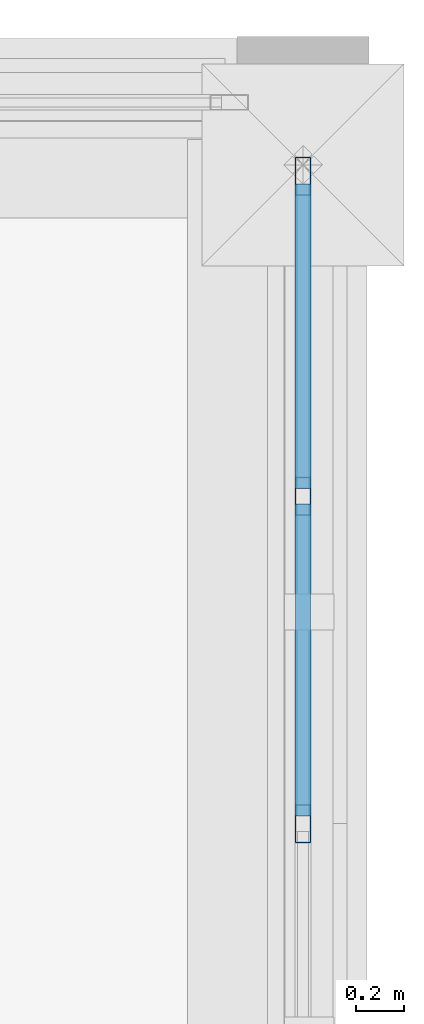
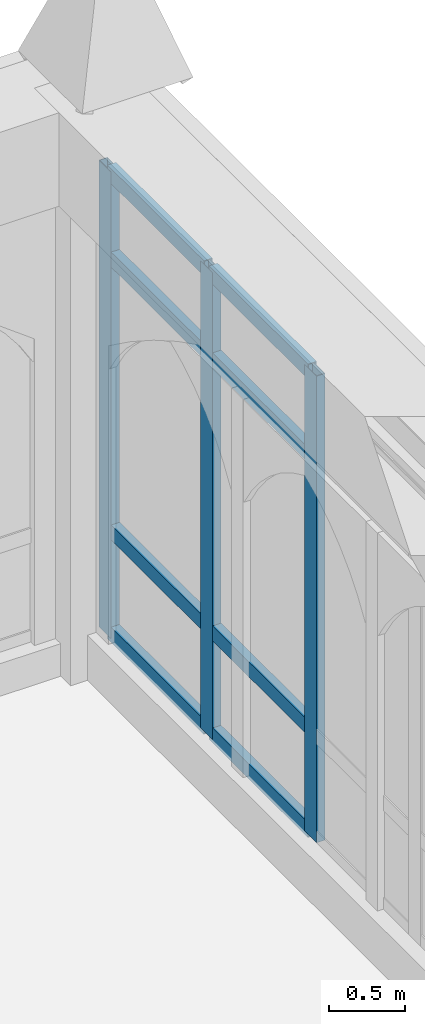
# One storey, part 59 of 108: 11 members, 1 element without a shape of its own.
"""IFC4 building model written with IfcOpenShell, lengths in metres."""

import ifcopenshell
import ifcopenshell.guid

model = None  # the IFC model being written
_history = None  # IfcOwnerHistory: only IFC2X3 demands one
_inside = {}  # id of a spatial element -> (the spatial element, [elements in it])
_under = {}  # id of a project, library or spatial element -> (it, [spatial elements below it])
_declared = {}  # id of a project -> (the project, [libraries it declares])
_typed = {}  # id of a type object -> (the type object, [elements of that type])
_made_of = {}  # id of a material, layer set ... -> (it, [elements and type objects made of it])


def new_model(schema):
    """Start an empty IFC model of exactly this schema.

    Asked for "IFC4X3", IfcOpenShell would pick the latest addendum, in which some entities
    have other attributes; the version numbers below select the first issue.
    IFC2X3 requires an IfcOwnerHistory on every rooted entity: one is made here for all.
    """
    global model, _history
    if schema == "IFC4X3":
        model = ifcopenshell.file(schema_version=(4, 3, 0, 0))
    else:
        model = ifcopenshell.file(schema=schema)
    _inside.clear()
    _under.clear()
    _declared.clear()
    _typed.clear()
    _made_of.clear()
    _history = None
    if model.schema == "IFC2X3":
        org = make("IfcOrganization", Name="unknown")
        user = make(
            "IfcPersonAndOrganization",
            ThePerson=make("IfcPerson", FamilyName="unknown"),
            TheOrganization=org,
        )
        app = make(
            "IfcApplication",
            ApplicationDeveloper=org,
            Version="unknown",
            ApplicationFullName="unknown",
            ApplicationIdentifier="unknown",
        )
        _history = make(
            "IfcOwnerHistory",
            OwningUser=user,
            OwningApplication=app,
            ChangeAction="ADDED",
            CreationDate=0,
        )
    return model


def make(cls, **values):
    """One entity of the class cls with the attributes given. An attribute that is None is left unset."""
    return model.create_entity(
        cls, **{name: value for name, value in values.items() if value is not None}
    )


def rooted(cls, **values):
    """An entity with a GlobalId (a new one), such as an element, a storey or a relation."""
    return make(cls, GlobalId=ifcopenshell.guid.new(), OwnerHistory=_history, **values)


def si_unit(unit_type, name, prefix=None):
    """IfcSIUnit, for example si_unit("LENGTHUNIT", "METRE", prefix="MILLI")."""
    return make("IfcSIUnit", UnitType=unit_type, Prefix=prefix, Name=name)


def assignment(units):
    """IfcUnitAssignment: the units of a project."""
    return None if units is None else make("IfcUnitAssignment", Units=units)


def point(xyz):
    """IfcCartesianPoint."""
    return None if xyz is None else make("IfcCartesianPoint", Coordinates=xyz)


def direction(xyz):
    """IfcDirection."""
    return None if xyz is None else make("IfcDirection", DirectionRatios=xyz)


def frame(location, z_axis=None, x_axis=None):
    """IfcAxis2Placement3D, a coordinate frame: its origin and axes. An axis left out is left unset."""
    return make(
        "IfcAxis2Placement3D",
        Location=point(location),
        Axis=direction(z_axis),
        RefDirection=direction(x_axis),
    )


def frame_2d(location, x_axis=None):
    """IfcAxis2Placement2D, a coordinate frame in the plane: its origin and x axis."""
    return make(
        "IfcAxis2Placement2D", Location=point(location), RefDirection=direction(x_axis)
    )


def origin():
    """The frame at (0, 0, 0) with its axes left unset."""
    return frame((0.0, 0.0, 0.0))


def origin_2d():
    """The frame at (0, 0) in the plane with its x axis left unset."""
    return frame_2d((0.0, 0.0))


def place(relative_to, where):
    """IfcLocalPlacement: puts the frame where relative to a parent placement (None: the world)."""
    return make(
        "IfcLocalPlacement", PlacementRelTo=relative_to, RelativePlacement=where
    )


def context(
    kind, dimensions, precision=None, world=None, true_north=None, identifier=None
):
    """IfcGeometricRepresentationContext, for example the 3D "Model" context."""
    return make(
        "IfcGeometricRepresentationContext",
        ContextIdentifier=identifier,
        ContextType=kind,
        CoordinateSpaceDimension=dimensions,
        Precision=precision,
        WorldCoordinateSystem=world,
        TrueNorth=true_north,
    )


def subcontext(parent, identifier, kind, view, scale=None):
    """IfcGeometricRepresentationSubContext, for example "Body" below "Model"."""
    return make(
        "IfcGeometricRepresentationSubContext",
        ContextIdentifier=identifier,
        ContextType=kind,
        ParentContext=parent,
        TargetScale=scale,
        TargetView=view,
    )


def project(units=None, contexts=None):
    """IfcProject with its units and contexts."""
    return rooted(
        "IfcProject",
        Name="project",
        RepresentationContexts=contexts,
        UnitsInContext=assignment(units),
    )


def spatial(cls, under=None, at=None, **own):
    """A site, building, storey or space (cls), placed at a placement, below another one or the project."""
    s = rooted(cls, ObjectPlacement=at, **own)
    if under is not None:
        _under.setdefault(under.id(), (under, []))[1].append(s)
    return s


def profile(cls, at=None, kind="AREA", **sizes):
    """A parametric profile (cls). Its sizes go by their IFC names, for example OverallWidth=200.0."""
    return make(cls, ProfileType=kind, Position=at, **sizes)


def hollow_rectangle(**sizes):
    """IfcRectangleHollowProfileDef."""
    return profile("IfcRectangleHollowProfileDef", **sizes)


def extrude(swept, where, along, depth):
    """IfcExtrudedAreaSolid: the profile swept, set in the frame where, extruded along a direction by depth."""
    return make(
        "IfcExtrudedAreaSolid",
        SweptArea=swept,
        Position=where,
        ExtrudedDirection=direction(along),
        Depth=depth,
    )


def shape(context_of_items, identifier, shape_type, items):
    """IfcShapeRepresentation: the items that make up one representation, for example the "Body"."""
    return make(
        "IfcShapeRepresentation",
        ContextOfItems=context_of_items,
        RepresentationIdentifier=identifier,
        RepresentationType=shape_type,
        Items=items,
    )


def material(Name=None, Category=None):
    """IfcMaterial."""
    return make("IfcMaterial", Name=Name, Category=Category)


def layer(
    of_material, thickness, ventilated=None, Name=None, Category=None, Priority=None
):
    """IfcMaterialLayer: one layer of a wall or slab, of a material (None: an air gap)."""
    return make(
        "IfcMaterialLayer",
        Material=of_material,
        LayerThickness=thickness,
        IsVentilated=ventilated,
        Name=Name,
        Category=Category,
        Priority=Priority,
    )


def layer_set(layers, Name=None):
    """IfcMaterialLayerSet."""
    return make("IfcMaterialLayerSet", MaterialLayers=layers, LayerSetName=Name)


def material_profile(
    of_material, cross_section, Name=None, Category=None, Priority=None
):
    """IfcMaterialProfile: a cross section and its material."""
    return make(
        "IfcMaterialProfile",
        Name=Name,
        Material=of_material,
        Profile=cross_section,
        Priority=Priority,
        Category=Category,
    )


def profile_set(profiles, Name=None, composite=None):
    """IfcMaterialProfileSet."""
    return make(
        "IfcMaterialProfileSet",
        Name=Name,
        MaterialProfiles=profiles,
        CompositeProfile=composite,
    )


def made_of(thing, what):
    """Note that an element or type object is made of a material, layer set ...; save() writes the relation."""
    if what is not None:
        _made_of.setdefault(what.id(), (what, []))[1].append(thing)
    return thing


def type_object(cls, material=None, **own):
    """A type object (cls), such as IfcWallType, which elements share."""
    return made_of(rooted(cls, **own), material)


def element(
    cls,
    number,
    at=None,
    inside=None,
    cuts=None,
    type_object=None,
    material=None,
    context=None,
    identifier="Body",
    shape_type=None,
    held_by="IfcProductDefinitionShape",
    body=None,
    shapes=None,
    **own,
):
    """One element of the class cls, such as IfcWall. Its Tag is "e" and its number.

    at: its placement. inside: the storey or other place that contains it. cuts: it is an
    opening in that element (IfcRelVoidsElement). A single representation is given by context,
    identifier, shape_type and body (its items); several are given by shapes. held_by: the class
    of the entity that holds the representations. save() writes the other relations.
    """
    e = rooted(cls, Tag="e%d" % number, ObjectPlacement=at, **own)
    if body is not None:
        shapes = [shape(context, identifier, shape_type, body)]
    if shapes is not None:
        e.Representation = make(held_by, Representations=shapes)
    if inside is not None:
        _inside.setdefault(inside.id(), (inside, []))[1].append(e)
    if cuts is not None:
        rooted(
            "IfcRelVoidsElement", RelatingBuildingElement=cuts, RelatedOpeningElement=e
        )
    if type_object is not None:
        _typed.setdefault(type_object.id(), (type_object, []))[1].append(e)
    return made_of(e, material)


def aggregate(whole, parts):
    """IfcRelAggregates: a whole, such as a stair, and the parts it consists of."""
    return rooted("IfcRelAggregates", RelatingObject=whole, RelatedObjects=parts)


def save(model, path):
    """Write the relations noted so far, then the file.

    IfcRelAggregates (storeys below a building ...), IfcRelContainedInSpatialStructure (elements
    in a storey), IfcRelDefinesByType, IfcRelAssociatesMaterial and IfcRelDeclares: one each for
    every whole, place, type object, material and project.
    """
    for whole, parts in _under.values():
        aggregate(whole, parts)
    for where, things in _inside.values():
        rooted(
            "IfcRelContainedInSpatialStructure",
            RelatedElements=things,
            RelatingStructure=where,
        )
    for kind, things in _typed.values():
        rooted("IfcRelDefinesByType", RelatedObjects=things, RelatingType=kind)
    for what, things in _made_of.values():
        rooted("IfcRelAssociatesMaterial", RelatedObjects=things, RelatingMaterial=what)
    for by, libraries in _declared.values():
        rooted("IfcRelDeclares", RelatingContext=by, RelatedDefinitions=libraries)
    model.write(path)


model = new_model("IFC4")

# Units and contexts
model_context = context("Model", 3, precision=1e-05, world=origin(), true_north=direction((0.0, 1.0)))
body_context = subcontext(model_context, "Body", "Model", "MODEL_VIEW")
ifc_project = project(units=[si_unit("LENGTHUNIT", "METRE"), si_unit("AREAUNIT", "SQUARE_METRE"), si_unit("VOLUMEUNIT", "CUBIC_METRE"), si_unit("PLANEANGLEUNIT", "RADIAN"), si_unit("MASSUNIT", "GRAM", prefix="KILO")], contexts=[model_context])

# Site, building, storey
site_placement = place(None, origin())
site = spatial("IfcSite", under=ifc_project, at=site_placement, CompositionType="ELEMENT")
building_placement = place(site_placement, origin())
building = spatial("IfcBuilding", under=site, at=building_placement, Name="Cumevento Cable Car Station", CompositionType="ELEMENT")
storey_placement = place(building_placement, frame((0.0, 0.0, 13.5)))
storey = spatial("IfcBuildingStorey", under=building, at=storey_placement, Name="L04", CompositionType="ELEMENT", Elevation=13.5)

# Curtain wall, members
ifc_material_1 = material(Name="Anodised Bronze Aluminium AW-6063-T6", Category="aluminium")
ifc_layer = layer(ifc_material_1, 0.23193359375)
ifc_layer_set = layer_set([ifc_layer], Name="Anodised Bronze Aluminium AW-6063-T6")
curtain_wall_type = type_object("IfcCurtainWallType", Name="Lancet Curtain Wall CW-13 1530", PredefinedType="NOTDEFINED", material=ifc_layer_set)
curtain_wall_placement = place(storey_placement, origin())
curtain_wall = element("IfcCurtainWall", 1, at=curtain_wall_placement, inside=storey, type_object=curtain_wall_type, Name="Lancet Curtain Wall CW-13 L04 #188", PredefinedType="NOTDEFINED")
ifc_material_2 = material(Name="Anodised Bronze Aluminium AW-6063-T6", Category="aluminium")
ifc_material_profile_1 = material_profile(ifc_material_2, hollow_rectangle(XDim=0.06494140625, YDim=0.159912109375, WallThickness=0.00390625, at=origin_2d()), Name="ALUM65x160x4")
ifc_profile_set_1 = profile_set([ifc_material_profile_1], Name="Anodised Bronze Aluminium AW-6063-T6")
member_type_1 = type_object("IfcMemberType", Name="Curtain Mullion CWM-01 ALUM65x160x4", PredefinedType="MULLION", material=ifc_profile_set_1)
member_1_placement = place(storey_placement, frame((166.0, 44.6923828125, 0.360107421875), z_axis=(0.0, 0.0, 1.0), x_axis=(1.0, 0.0, 0.0)))
member_1 = element("IfcMember", 2, at=member_1_placement, type_object=member_type_1, Name="CW-13 mullion 1", PredefinedType="MULLION", context=body_context, shape_type="SweptSolid", body=[
    extrude(hollow_rectangle(XDim=0.06494140625, YDim=0.159912109375, WallThickness=0.00390625, at=origin_2d()), origin(), (0.0, 0.0, 1.0), 3.73291015625),
])
member_2_placement = place(storey_placement, frame((166.0, 43.362548828125, 0.360107421875), z_axis=(0.0, 0.0, 1.0), x_axis=(1.0, 0.0, 0.0)))
member_2 = element("IfcMember", 3, at=member_2_placement, type_object=member_type_1, Name="CW-13 mullion 2", PredefinedType="MULLION", context=body_context, shape_type="SweptSolid", body=[
    extrude(hollow_rectangle(XDim=0.06494140625, YDim=0.159912109375, WallThickness=0.00390625, at=origin_2d()), origin(), (0.0, 0.0, 1.0), 3.73291015625),
])
member_3_placement = place(storey_placement, frame((166.0, 42.0, 0.360107421875), z_axis=(0.0, 0.0, 1.0), x_axis=(1.0, 0.0, 0.0)))
member_3 = element("IfcMember", 4, at=member_3_placement, type_object=member_type_1, Name="CW-13 mullion 3", PredefinedType="MULLION", context=body_context, shape_type="SweptSolid", body=[
    extrude(hollow_rectangle(XDim=0.06494140625, YDim=0.159912109375, WallThickness=0.00390625, at=origin_2d()), origin(), (0.0, 0.0, 1.0), 3.73291015625),
])
ifc_material_3 = material(Name="Anodised Bronze Aluminium AW-6063-T6", Category="aluminium")
ifc_material_profile_2 = material_profile(ifc_material_3, hollow_rectangle(XDim=0.06494140625, YDim=0.1201171875, WallThickness=0.00390625, at=origin_2d()), Name="ALUT65x120x4")
ifc_profile_set_2 = profile_set([ifc_material_profile_2], Name="Anodised Bronze Aluminium AW-6063-T6")
member_type_2 = type_object("IfcMemberType", Name="Curtain Transom CWT-01 ALUT65x120x4", PredefinedType="USERDEFINED", material=ifc_profile_set_2)
member_4_placement = place(storey_placement, frame((166.0, 44.659912109375, 0.392578125), z_axis=(0.0, -1.0, 0.0), x_axis=(1.0, 0.0, 0.0)))
member_4 = element("IfcMember", 5, at=member_4_placement, type_object=member_type_2, Name="CW-13 transom 1.1", ObjectType="TRANSOM", PredefinedType="USERDEFINED", context=body_context, shape_type="SweptSolid", body=[
    extrude(hollow_rectangle(XDim=0.06494140625, YDim=0.1201171875, WallThickness=0.00390625, at=origin_2d()), origin(), (0.0, 0.0, 1.0), 1.264892578125),
])
member_5_placement = place(storey_placement, frame((166.0, 44.659912109375, 1.2099609375), z_axis=(0.0, -1.0, 0.0), x_axis=(1.0, 0.0, 0.0)))
member_5 = element("IfcMember", 6, at=member_5_placement, type_object=member_type_2, Name="CW-13 transom 1.2", ObjectType="TRANSOM", PredefinedType="USERDEFINED", context=body_context, shape_type="SweptSolid", body=[
    extrude(hollow_rectangle(XDim=0.06494140625, YDim=0.1201171875, WallThickness=0.00390625, at=origin_2d()), origin(), (0.0, 0.0, 1.0), 1.264892578125),
])
member_6_placement = place(storey_placement, frame((166.0, 44.659912109375, 3.39306640625), z_axis=(0.0, -1.0, 0.0), x_axis=(1.0, 0.0, 0.0)))
member_6 = element("IfcMember", 7, at=member_6_placement, type_object=member_type_2, Name="CW-13 transom 1.3", ObjectType="TRANSOM", PredefinedType="USERDEFINED", context=body_context, shape_type="SweptSolid", body=[
    extrude(hollow_rectangle(XDim=0.06494140625, YDim=0.1201171875, WallThickness=0.00390625, at=origin_2d()), origin(), (0.0, 0.0, 1.0), 1.264892578125),
])
member_7_placement = place(storey_placement, frame((166.0, 44.659912109375, 4.060546875), z_axis=(0.0, -1.0, 0.0), x_axis=(1.0, 0.0, 0.0)))
member_7 = element("IfcMember", 8, at=member_7_placement, type_object=member_type_2, Name="CW-13 transom 1.4", ObjectType="TRANSOM", PredefinedType="USERDEFINED", context=body_context, shape_type="SweptSolid", body=[
    extrude(hollow_rectangle(XDim=0.06494140625, YDim=0.1201171875, WallThickness=0.00390625, at=origin_2d()), origin(), (0.0, 0.0, 1.0), 1.264892578125),
])
member_8_placement = place(storey_placement, frame((166.0, 43.330078125, 0.392578125), z_axis=(0.0, -1.0, 0.0), x_axis=(1.0, 0.0, 0.0)))
member_8 = element("IfcMember", 9, at=member_8_placement, type_object=member_type_2, Name="CW-13 transom 2.1", ObjectType="TRANSOM", PredefinedType="USERDEFINED", context=body_context, shape_type="SweptSolid", body=[
    extrude(hollow_rectangle(XDim=0.06494140625, YDim=0.1201171875, WallThickness=0.00390625, at=origin_2d()), origin(), (0.0, 0.0, 1.0), 1.297607421875),
])
member_9_placement = place(storey_placement, frame((166.0, 43.330078125, 1.2099609375), z_axis=(0.0, -1.0, 0.0), x_axis=(1.0, 0.0, 0.0)))
member_9 = element("IfcMember", 10, at=member_9_placement, type_object=member_type_2, Name="CW-13 transom 2.2", ObjectType="TRANSOM", PredefinedType="USERDEFINED", context=body_context, shape_type="SweptSolid", body=[
    extrude(hollow_rectangle(XDim=0.06494140625, YDim=0.1201171875, WallThickness=0.00390625, at=origin_2d()), origin(), (0.0, 0.0, 1.0), 1.297607421875),
])
member_10_placement = place(storey_placement, frame((166.0, 43.330078125, 3.39306640625), z_axis=(0.0, -1.0, 0.0), x_axis=(1.0, 0.0, 0.0)))
member_10 = element("IfcMember", 11, at=member_10_placement, type_object=member_type_2, Name="CW-13 transom 2.3", ObjectType="TRANSOM", PredefinedType="USERDEFINED", context=body_context, shape_type="SweptSolid", body=[
    extrude(hollow_rectangle(XDim=0.06494140625, YDim=0.1201171875, WallThickness=0.00390625, at=origin_2d()), origin(), (0.0, 0.0, 1.0), 1.297607421875),
])
member_11_placement = place(storey_placement, frame((166.0, 43.330078125, 4.060546875), z_axis=(0.0, -1.0, 0.0), x_axis=(1.0, 0.0, 0.0)))
member_11 = element("IfcMember", 12, at=member_11_placement, type_object=member_type_2, Name="CW-13 transom 2.4", ObjectType="TRANSOM", PredefinedType="USERDEFINED", context=body_context, shape_type="SweptSolid", body=[
    extrude(hollow_rectangle(XDim=0.06494140625, YDim=0.1201171875, WallThickness=0.00390625, at=origin_2d()), origin(), (0.0, 0.0, 1.0), 1.297607421875),
])
aggregate(curtain_wall, [member_1, member_2, member_3, member_4, member_5, member_6, member_7, member_8, member_9, member_10, member_11])

save(model, "model.ifc")
